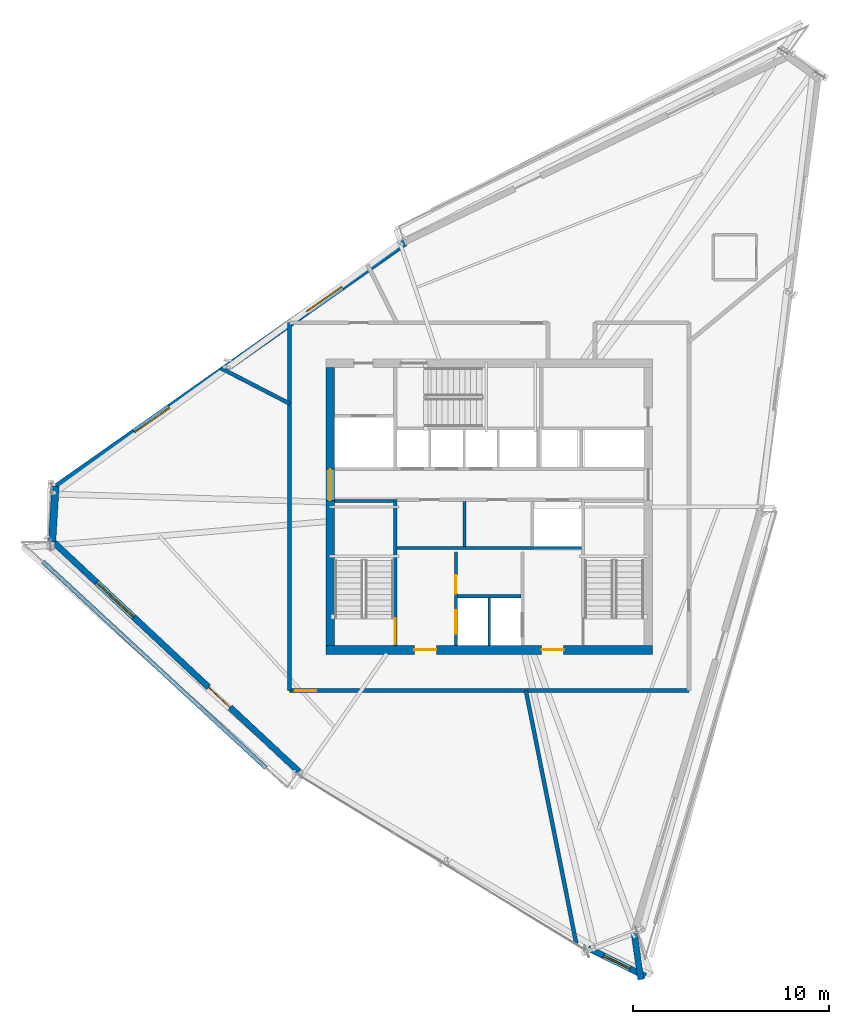
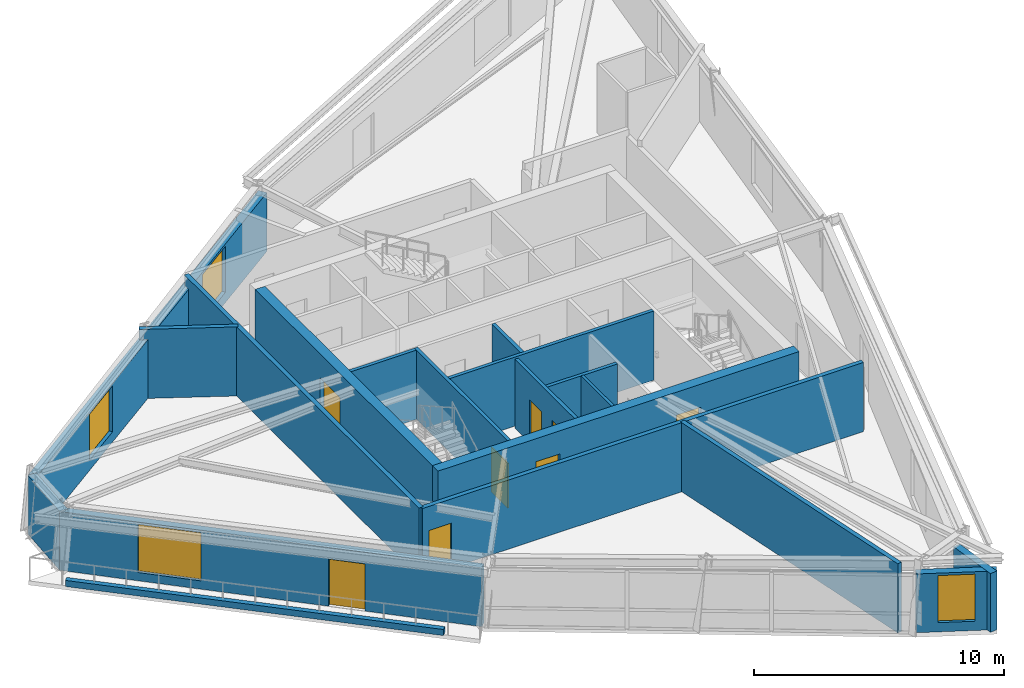
# One storey, part 9 of 14: 19 walls, 8 doors, 4 windows, 12 openings.
"""IFC4 building model written with IfcOpenShell, lengths in metres."""

from ifc_helpers import new_model, si_unit, direction, frame, frame_2d, origin, place, context, subcontext, project, spatial, rectangle, extrude, source, transform, mapped, material, layer, layer_set, type_object, type_shapes, element, fill, save


model = new_model("IFC4")

# Units and contexts
model_context = context("Model", 3, precision=1e-05, world=origin(), true_north=direction((0.0, 1.0)))
body_context = subcontext(model_context, "Body", "Model", "MODEL_VIEW")
ifc_project = project(units=[si_unit("LENGTHUNIT", "METRE"), si_unit("AREAUNIT", "SQUARE_METRE"), si_unit("VOLUMEUNIT", "CUBIC_METRE"), si_unit("PLANEANGLEUNIT", "RADIAN"), si_unit("MASSUNIT", "GRAM", prefix="KILO")], contexts=[model_context])

# Site, building, storey
site_placement = place(None, origin())
site = spatial("IfcSite", under=ifc_project, at=site_placement, CompositionType="ELEMENT")
building_placement = place(site_placement, origin())
building = spatial("IfcBuilding", under=site, at=building_placement, Name="Olszyna Solenne Hotel", CompositionType="ELEMENT")
storey_placement = place(building_placement, frame((0.0, 0.0, 256.10009765625)))
storey = spatial("IfcBuildingStorey", under=building, at=storey_placement, Name="L68", CompositionType="ELEMENT", Elevation=256.10009765625)

# Wall, openings, doors
ifc_material_1 = material(Name="Concrete C50/60", Category="concrete")
ifc_layer_1 = layer(ifc_material_1, 0.449951171875, Name="Concrete C50/60")
ifc_layer_set_1 = layer_set([ifc_layer_1], Name="Concrete C50/60")
wall_type_1 = type_object("IfcWallType", Name="WL-CR450", PredefinedType="SHEAR", material=ifc_layer_set_1)
wall_1_placement = place(storey_placement, frame((46.35009765625, 19.27490234375, 0.0), z_axis=(0.0, 0.0, 1.0), x_axis=(-1.0, 0.0, 0.0)))
wall_1 = element("IfcWall", 1, at=wall_1_placement, inside=storey, type_object=wall_type_1, Name="Core shear wall WL-CR450 CRW-L68-S", PredefinedType="SHEAR", context=body_context, shape_type="SweptSolid", body=[
    extrude(rectangle(XDim=16.7001953125, YDim=0.449951171875, at=frame_2d((8.35009765625, 0.0))), origin(), (0.0, 0.0, 1.0), 3.3798828125),
])
opening_1_placement = place(wall_1_placement, frame((4.550048828125, 0.0, 0.0)))
opening_1 = element("IfcOpeningElement", 2, at=opening_1_placement, cuts=wall_1, Name="Opening FL-L68-1", PredefinedType="OPENING", context=body_context, shape_type="SweptSolid", body=[
    extrude(rectangle(XDim=1.1201171875, YDim=2.25, at=frame_2d((0.56005859375, 1.125))), frame((0.0, 0.23486328125, 0.0), z_axis=(0.0, -1.0, 0.0), x_axis=(1.0, 0.0, 0.0)), (0.0, 0.0, 1.0), 0.469970703125),
])
opening_2_placement = place(wall_1_placement, frame((11.050048828125, 0.0, 0.0)))
opening_2 = element("IfcOpeningElement", 3, at=opening_2_placement, cuts=wall_1, Name="Opening FL-L68-2", PredefinedType="OPENING", context=body_context, shape_type="SweptSolid", body=[
    extrude(rectangle(XDim=1.1201171875, YDim=2.25, at=frame_2d((0.56005859375, 1.125))), frame((0.0, 0.23486328125, 0.0), z_axis=(0.0, -1.0, 0.0), x_axis=(1.0, 0.0, 0.0)), (0.0, 0.0, 1.0), 0.469970703125),
])
ifc_material_2 = material(Name="Steel S355J2", Category="steel")
door_type_1 = type_object("IfcDoorType", Name="DR-FL1", OperationType="NOTDEFINED", PredefinedType="DOOR", material=ifc_material_2)
shared_shape_1 = source(origin(), body_context, "Body", "SweptSolid", [
    extrude(rectangle(XDim=1.1201171875, YDim=2.25, at=frame_2d((0.56005859375, 1.125))), frame((0.0, 0.02490234375, 0.0), z_axis=(0.0, -1.0, 0.0), x_axis=(1.0, 0.0, 0.0)), (0.0, 0.0, 1.0), 0.050048828125),
])
type_shapes(door_type_1, [shared_shape_1])
door_1_placement = place(opening_1_placement, origin())
door_1 = element("IfcDoor", 4, at=door_1_placement, inside=storey, type_object=door_type_1, Name="Firefighting lift lobby smoke door FL-L68-1", OperationType="SINGLE_SWING_LEFT", OverallHeight=2.25, OverallWidth=1.1201171875, PredefinedType="DOOR", context=body_context, shape_type="MappedRepresentation", body=[
    mapped(shared_shape_1, transform((0.0, 0.0, 0.0), x_axis=(1.0, 0.0, 0.0), y_axis=(0.0, 1.0, 0.0), z_axis=(0.0, 0.0, 1.0), scale=1.0)),
])
fill(opening_1, door_1)
door_2_placement = place(opening_2_placement, origin())
door_2 = element("IfcDoor", 5, at=door_2_placement, inside=storey, type_object=door_type_1, Name="Firefighting lift lobby smoke door FL-L68-2", OperationType="SINGLE_SWING_RIGHT", OverallHeight=2.25, OverallWidth=1.1201171875, PredefinedType="DOOR", context=body_context, shape_type="MappedRepresentation", body=[
    mapped(shared_shape_1, transform((0.0, 0.0, 0.0), x_axis=(1.0, 0.0, 0.0), y_axis=(0.0, 1.0, 0.0), z_axis=(0.0, 0.0, 1.0), scale=1.0)),
])
fill(opening_2, door_2)

# Wall, opening, door
wall_2_placement = place(storey_placement, frame((29.875, 19.5, 0.0), z_axis=(0.0, 0.0, 1.0), x_axis=(0.0, 1.0, 0.0)))
wall_2 = element("IfcWall", 6, at=wall_2_placement, inside=storey, type_object=wall_type_1, Name="Core shear wall WL-CR450 CRW-L68-W", PredefinedType="SHEAR", context=body_context, shape_type="SweptSolid", body=[
    extrude(rectangle(XDim=14.199951171875, YDim=0.449951171875, at=frame_2d((7.10009765625, 0.0))), origin(), (0.0, 0.0, 1.0), 3.3798828125),
])
opening_3_placement = place(wall_2_placement, frame((7.419921875, 0.0, 0.0)))
opening_3 = element("IfcOpeningElement", 7, at=opening_3_placement, cuts=wall_2, Name="Opening LHD-L68-W", PredefinedType="OPENING", context=body_context, shape_type="SweptSolid", body=[
    extrude(rectangle(XDim=1.60009765625, YDim=2.199951171875, at=frame_2d((0.800048828125, 1.10009765625))), frame((0.0, 0.23486328125, 0.0), z_axis=(0.0, -1.0, 0.0), x_axis=(1.0, 0.0, 0.0)), (0.0, 0.0, 1.0), 0.469970703125),
])
ifc_material_3 = material(Name="Timber hardwood", Category="wood")
door_type_2 = type_object("IfcDoorType", Name="DR-CR1", OperationType="DOUBLE_DOOR_SINGLE_SWING", PredefinedType="DOOR", material=ifc_material_3)
shared_shape_2 = source(origin(), body_context, "Body", "SweptSolid", [
    extrude(rectangle(XDim=1.60009765625, YDim=2.199951171875, at=frame_2d((0.800048828125, 1.10009765625))), frame((0.0, 0.02490234375, 0.0), z_axis=(0.0, -1.0, 0.0), x_axis=(1.0, 0.0, 0.0)), (0.0, 0.0, 1.0), 0.050048828125),
])
type_shapes(door_type_2, [shared_shape_2])
door_3_placement = place(opening_3_placement, origin())
door_3 = element("IfcDoor", 8, at=door_3_placement, inside=storey, type_object=door_type_2, Name="Passenger lift lobby West fire door LHD-L68-W", OperationType="DOUBLE_DOOR_SINGLE_SWING", OverallHeight=2.199951171875, OverallWidth=1.60009765625, PredefinedType="DOOR", context=body_context, shape_type="MappedRepresentation", body=[
    mapped(shared_shape_2, transform((0.0, 0.0, 0.0), x_axis=(1.0, 0.0, 0.0), y_axis=(0.0, 1.0, 0.0), z_axis=(0.0, 0.0, 1.0), scale=1.0)),
])
fill(opening_3, door_3)

# Wall
ifc_material_4 = material(Name="Precast concrete C45/55", Category="concrete")
ifc_layer_2 = layer(ifc_material_4, 0.320068359375, Name="Precast concrete C45/55")
ifc_layer_set_2 = layer_set([ifc_layer_2], Name="Precast concrete C45/55")
wall_type_2 = type_object("IfcWallType", Name="WL-EX320", PredefinedType="SOLIDWALL", material=ifc_layer_set_2)
wall_3_placement = place(storey_placement, frame((45.40771484375, 4.8115234375, 0.0), z_axis=(0.0, 0.0, 1.0), x_axis=(0.143042586775, -0.989716534351, 0.0)))
element("IfcWall", 9, at=wall_3_placement, inside=storey, type_object=wall_type_2, Name="Exterior terracotta-precast frame wall WL-EX320 EW-L68-02", PredefinedType="SOLIDWALL", context=body_context, shape_type="SweptSolid", body=[
    extrude(rectangle(XDim=2.403076171875, YDim=0.320068359375, at=frame_2d((1.20166015625, 0.0))), origin(), (0.0, 0.0, 1.0), 2.871826171875),
])

# Wall, opening, window
wall_4_placement = place(storey_placement, frame((45.98046875, 2.599609375, 0.0), z_axis=(0.0, 0.0, 1.0), x_axis=(-0.897759640197, 0.440485673358, 0.0)))
wall_4 = element("IfcWall", 10, at=wall_4_placement, inside=storey, type_object=wall_type_2, Name="Exterior terracotta-precast frame wall WL-EX320 EW-L68-03", PredefinedType="SOLIDWALL", context=body_context, shape_type="SweptSolid", body=[
    extrude(rectangle(XDim=3.242919921875, YDim=0.320068359375, at=frame_2d((1.62158203125, 0.0))), origin(), (0.0, 0.0, 1.0), 2.871826171875),
])
opening_4_placement = place(wall_4_placement, frame((0.87109375, 0.0, 0.451904296875)))
opening_4 = element("IfcOpeningElement", 11, at=opening_4_placement, cuts=wall_4, Name="Opening WN-L68-449", PredefinedType="OPENING", context=body_context, shape_type="SweptSolid", body=[
    extrude(rectangle(XDim=1.5, YDim=2.300048828125, at=frame_2d((0.75, 1.14990234375))), frame((0.0, 0.169921875, 0.0), z_axis=(0.0, -1.0, 0.0), x_axis=(1.0, 0.0, 0.0)), (0.0, 0.0, 1.0), 0.340087890625),
])
ifc_material_5 = material(Name="Low-E triple glazing", Category="glass")
window_type_1 = type_object("IfcWindowType", Name="WN-CH1", PartitioningType="SINGLE_PANEL", PredefinedType="WINDOW", material=ifc_material_5)
shared_shape_3 = source(origin(), body_context, "Body", "SweptSolid", [
    extrude(rectangle(XDim=1.5, YDim=2.300048828125, at=frame_2d((0.75, 1.14990234375))), frame((0.0, 0.030029296875, 0.0), z_axis=(0.0, -1.0, 0.0), x_axis=(1.0, 0.0, 0.0)), (0.0, 0.0, 1.0), 0.06005859375),
])
type_shapes(window_type_1, [shared_shape_3])
window_1_placement = place(opening_4_placement, origin())
window_1 = element("IfcWindow", 12, at=window_1_placement, inside=storey, type_object=window_type_1, Name="Exterior facade window WN-CH1 WN-L68-449", OverallHeight=2.300048828125, OverallWidth=1.5, PartitioningType="SINGLE_PANEL", PredefinedType="WINDOW", context=body_context, shape_type="MappedRepresentation", body=[
    mapped(shared_shape_3, transform((0.0, 0.0, 0.0), x_axis=(1.0, 0.0, 0.0), y_axis=(0.0, 1.0, 0.0), z_axis=(0.0, 0.0, 1.0), scale=1.0)),
])
fill(opening_4, window_1)

# Wall, openings, door, window
wall_5_placement = place(storey_placement, frame((28.271240234375, 13.05322265625, 0.0), z_axis=(0.0, 0.0, 1.0), x_axis=(-0.730047343923, 0.683396572739, 0.0)))
wall_5 = element("IfcWall", 13, at=wall_5_placement, inside=storey, type_object=wall_type_2, Name="Exterior terracotta-precast frame wall WL-EX320 EW-L68-05", PredefinedType="SOLIDWALL", context=body_context, shape_type="SweptSolid", body=[
    extrude(rectangle(XDim=17.380126953125, YDim=0.320068359375, at=frame_2d((8.68994140625, 0.0))), origin(), (0.0, 0.0, 1.0), 2.871826171875),
])
opening_5_placement = place(wall_5_placement, frame((4.81201171875, 0.0, 0.0)))
opening_5 = element("IfcOpeningElement", 14, at=opening_5_placement, cuts=wall_5, Name="Opening LDG-L68-2", PredefinedType="OPENING", context=body_context, shape_type="SweptSolid", body=[
    extrude(rectangle(XDim=1.5, YDim=2.300048828125, at=frame_2d((0.75, 1.14990234375))), frame((0.0, 0.169921875, 0.0), z_axis=(0.0, -1.0, 0.0), x_axis=(1.0, 0.0, 0.0)), (0.0, 0.0, 1.0), 0.340087890625),
])
opening_6_placement = place(wall_5_placement, frame((11.56103515625, 0.0, 0.402099609375)))
opening_6 = element("IfcOpeningElement", 15, at=opening_6_placement, cuts=wall_5, Name="Opening WN-L68-450", PredefinedType="OPENING", context=body_context, shape_type="SweptSolid", body=[
    extrude(rectangle(XDim=2.60009765625, YDim=2.35009765625, at=frame_2d((1.300048828125, 1.175048828125))), frame((0.0, 0.169921875, 0.0), z_axis=(0.0, -1.0, 0.0), x_axis=(1.0, 0.0, 0.0)), (0.0, 0.0, 1.0), 0.340087890625),
])
ifc_material_6 = material(Name="Anodised bronze aluminium", Category="aluminium")
door_type_3 = type_object("IfcDoorType", Name="DR-LG2", OperationType="DOUBLE_DOOR_SINGLE_SWING", PredefinedType="DOOR", material=ifc_material_6)
shared_shape_4 = source(origin(), body_context, "Body", "SweptSolid", [
    extrude(rectangle(XDim=1.5, YDim=2.300048828125, at=frame_2d((0.75, 1.14990234375))), frame((0.0, 0.02490234375, 0.0), z_axis=(0.0, -1.0, 0.0), x_axis=(1.0, 0.0, 0.0)), (0.0, 0.0, 1.0), 0.050048828125),
])
type_shapes(door_type_3, [shared_shape_4])
door_4_placement = place(opening_5_placement, origin())
door_4 = element("IfcDoor", 16, at=door_4_placement, inside=storey, type_object=door_type_3, Name="Exterior loggia balcony door DR-LG2 LDG-L68-2", OperationType="DOUBLE_DOOR_SINGLE_SWING", OverallHeight=2.300048828125, OverallWidth=1.5, PredefinedType="DOOR", context=body_context, shape_type="MappedRepresentation", body=[
    mapped(shared_shape_4, transform((0.0, 0.0, 0.0), x_axis=(1.0, 0.0, 0.0), y_axis=(0.0, 1.0, 0.0), z_axis=(0.0, 0.0, 1.0), scale=1.0)),
])
fill(opening_5, door_4)
window_type_2 = type_object("IfcWindowType", Name="WN-ST1", PartitioningType="SINGLE_PANEL", PredefinedType="WINDOW", material=ifc_material_5)
shared_shape_5 = source(origin(), body_context, "Body", "SweptSolid", [
    extrude(rectangle(XDim=2.60009765625, YDim=2.35009765625, at=frame_2d((1.300048828125, 1.175048828125))), frame((0.0, 0.030029296875, 0.0), z_axis=(0.0, -1.0, 0.0), x_axis=(1.0, 0.0, 0.0)), (0.0, 0.0, 1.0), 0.06005859375),
])
type_shapes(window_type_2, [shared_shape_5])
window_2_placement = place(opening_6_placement, origin())
window_2 = element("IfcWindow", 17, at=window_2_placement, inside=storey, type_object=window_type_2, Name="Loggia room window WN-ST1 WN-L68-450", OverallHeight=2.35009765625, OverallWidth=2.60009765625, PartitioningType="SINGLE_PANEL", PredefinedType="WINDOW", context=body_context, shape_type="MappedRepresentation", body=[
    mapped(shared_shape_5, transform((0.0, 0.0, 0.0), x_axis=(1.0, 0.0, 0.0), y_axis=(0.0, 1.0, 0.0), z_axis=(0.0, 0.0, 1.0), scale=1.0)),
])
fill(opening_6, window_2)

# Wall
ifc_material_7 = material(Name="Terracotta cladding on precast concrete C45/55", Category="masonry")
ifc_layer_3 = layer(ifc_material_7, 0.3798828125, Name="Terracotta cladding on precast concrete C45/55")
ifc_layer_set_3 = layer_set([ifc_layer_3], Name="Terracotta cladding on precast concrete C45/55")
wall_type_3 = type_object("IfcWallType", Name="WL-EX380", PredefinedType="SOLIDWALL", material=ifc_layer_set_3)
wall_6_placement = place(storey_placement, frame((15.66357421875, 24.802490234375, 0.0), z_axis=(0.0, 0.0, 1.0), x_axis=(0.05918528466, 0.998247014561, 0.0)))
element("IfcWall", 18, at=wall_6_placement, inside=storey, type_object=wall_type_3, Name="Exterior terracotta-precast frame wall WL-EX380 EW-L68-06", PredefinedType="SOLIDWALL", context=body_context, shape_type="SweptSolid", body=[
    extrude(rectangle(XDim=2.842041015625, YDim=0.3798828125, at=frame_2d((1.4208984375, 0.0))), origin(), (0.0, 0.0, 1.0), 2.871826171875),
])

# Wall, openings, windows
wall_7_placement = place(storey_placement, frame((15.75146484375, 27.495361328125, 0.0), z_axis=(0.0, 0.0, 1.0), x_axis=(0.818194527571, 0.574941488373, 0.0)))
wall_7 = element("IfcWall", 19, at=wall_7_placement, inside=storey, type_object=wall_type_3, Name="Exterior terracotta-precast frame wall WL-EX380 EW-L68-07", PredefinedType="SOLIDWALL", context=body_context, shape_type="SweptSolid", body=[
    extrude(rectangle(XDim=21.9306640625, YDim=0.3798828125, at=frame_2d((10.96533203125, 0.0))), origin(), (0.0, 0.0, 1.0), 2.871826171875),
])
opening_7_placement = place(wall_7_placement, frame((5.041015625, 0.0, 0.501953125)))
opening_7 = element("IfcOpeningElement", 20, at=opening_7_placement, cuts=wall_7, Name="Opening WN-L68-451", PredefinedType="OPENING", context=body_context, shape_type="SweptSolid", body=[
    extrude(rectangle(XDim=2.199951171875, YDim=2.25, at=frame_2d((1.10009765625, 1.125))), frame((0.0, 0.199951171875, 0.0), z_axis=(0.0, -1.0, 0.0), x_axis=(1.0, 0.0, 0.0)), (0.0, 0.0, 1.0), 0.39990234375),
])
opening_8_placement = place(wall_7_placement, frame((15.7900390625, 0.0, 0.501953125)))
opening_8 = element("IfcOpeningElement", 21, at=opening_8_placement, cuts=wall_7, Name="Opening WN-L68-452", PredefinedType="OPENING", context=body_context, shape_type="SweptSolid", body=[
    extrude(rectangle(XDim=2.199951171875, YDim=2.25, at=frame_2d((1.10009765625, 1.125))), frame((0.0, 0.199951171875, 0.0), z_axis=(0.0, -1.0, 0.0), x_axis=(1.0, 0.0, 0.0)), (0.0, 0.0, 1.0), 0.39990234375),
])
window_type_3 = type_object("IfcWindowType", Name="WN-HT2", PartitioningType="SINGLE_PANEL", PredefinedType="WINDOW", material=ifc_material_5)
shared_shape_6 = source(origin(), body_context, "Body", "SweptSolid", [
    extrude(rectangle(XDim=2.199951171875, YDim=2.25, at=frame_2d((1.10009765625, 1.125))), frame((0.0, 0.030029296875, 0.0), z_axis=(0.0, -1.0, 0.0), x_axis=(1.0, 0.0, 0.0)), (0.0, 0.0, 1.0), 0.06005859375),
])
type_shapes(window_type_3, [shared_shape_6])
window_3_placement = place(opening_7_placement, origin())
window_3 = element("IfcWindow", 22, at=window_3_placement, inside=storey, type_object=window_type_3, Name="Exterior facade window WN-HT2 WN-L68-451", OverallHeight=2.25, OverallWidth=2.199951171875, PartitioningType="SINGLE_PANEL", PredefinedType="WINDOW", context=body_context, shape_type="MappedRepresentation", body=[
    mapped(shared_shape_6, transform((0.0, 0.0, 0.0), x_axis=(1.0, 0.0, 0.0), y_axis=(0.0, 1.0, 0.0), z_axis=(0.0, 0.0, 1.0), scale=1.0)),
])
fill(opening_7, window_3)
window_4_placement = place(opening_8_placement, origin())
window_4 = element("IfcWindow", 23, at=window_4_placement, inside=storey, type_object=window_type_3, Name="Exterior facade window WN-HT2 WN-L68-452", OverallHeight=2.25, OverallWidth=2.199951171875, PartitioningType="SINGLE_PANEL", PredefinedType="WINDOW", context=body_context, shape_type="MappedRepresentation", body=[
    mapped(shared_shape_6, transform((0.0, 0.0, 0.0), x_axis=(1.0, 0.0, 0.0), y_axis=(0.0, 1.0, 0.0), z_axis=(0.0, 0.0, 1.0), scale=1.0)),
])
fill(opening_8, window_4)

# Walls
ifc_layer_4 = layer(ifc_material_4, 0.219970703125, Name="Precast concrete C45/55")
ifc_layer_set_4 = layer_set([ifc_layer_4], Name="Precast concrete C45/55")
wall_type_4 = type_object("IfcWallType", Name="WL-PR220", PredefinedType="PARAPET", material=ifc_layer_set_4)
wall_8_placement = place(storey_placement, frame((15.1806640625, 23.796142578125, 0.0), z_axis=(0.0, 0.0, 1.0), x_axis=(0.734232444262, -0.678898164523, 0.0)))
element("IfcWall", 24, at=wall_8_placement, inside=storey, type_object=wall_type_4, Name="Loggia balcony precast kerb PR-L68-LG2", PredefinedType="PARAPET", context=body_context, shape_type="SweptSolid", body=[
    extrude(rectangle(XDim=15.530517578125, YDim=0.219970703125, at=frame_2d((7.76513671875, 0.0))), origin(), (0.0, 0.0, 1.0), 0.2998046875),
])
ifc_material_8 = material(Name="Acoustic gypsum partition", Category="gypsum")
ifc_layer_5 = layer(ifc_material_8, 0.125, Name="Acoustic gypsum partition")
ifc_layer_set_5 = layer_set([ifc_layer_5], Name="Acoustic gypsum partition")
wall_type_5 = type_object("IfcWallType", Name="WL-PT125", PredefinedType="PARTITIONING", material=ifc_layer_set_5)
wall_9_placement = place(storey_placement, frame((38.0, 19.5, 0.0), z_axis=(0.0, 0.0, 1.0), x_axis=(0.0, 1.0, 0.0)))
element("IfcWall", 25, at=wall_9_placement, inside=storey, type_object=wall_type_5, Name="Core shaft compartment wall CW-L68-FFM", PredefinedType="PARTITIONING", context=body_context, shape_type="SweptSolid", body=[
    extrude(rectangle(XDim=2.4599609375, YDim=0.125, at=frame_2d((1.22998046875, 0.0))), origin(), (0.0, 0.0, 1.0), 3.3798828125),
])

# Wall, opening, door
ifc_layer_6 = layer(ifc_material_8, 0.159912109375, Name="Acoustic gypsum partition")
ifc_layer_set_6 = layer_set([ifc_layer_6], Name="Acoustic gypsum partition")
wall_type_6 = type_object("IfcWallType", Name="WL-PT160", PredefinedType="PARTITIONING", material=ifc_layer_set_6)
wall_10_placement = place(storey_placement, frame((33.199951171875, 19.5, 0.0), z_axis=(0.0, 0.0, 1.0), x_axis=(0.0, 1.0, 0.0)))
wall_10 = element("IfcWall", 26, at=wall_10_placement, inside=storey, type_object=wall_type_6, Name="Core shaft compartment wall CW-L68-ST1E", PredefinedType="PARTITIONING", context=body_context, shape_type="SweptSolid", body=[
    extrude(rectangle(XDim=7.4599609375, YDim=0.159912109375, at=frame_2d((3.72998046875, 0.0))), origin(), (0.0, 0.0, 1.0), 3.3798828125),
])
opening_9_placement = place(wall_10_placement, frame((0.080078125, 0.0, 0.0)))
opening_9 = element("IfcOpeningElement", 27, at=opening_9_placement, cuts=wall_10, Name="Opening STD-L68-01", PredefinedType="OPENING", context=body_context, shape_type="SweptSolid", body=[
    extrude(rectangle(XDim=1.320068359375, YDim=2.199951171875, at=frame_2d((0.66015625, 1.10009765625))), frame((0.0, 0.08984375, 0.0), z_axis=(0.0, -1.0, 0.0), x_axis=(1.0, 0.0, 0.0)), (0.0, 0.0, 1.0), 0.179931640625),
])
door_type_4 = type_object("IfcDoorType", Name="DR-ST1", OperationType="NOTDEFINED", PredefinedType="DOOR", material=ifc_material_2)
shared_shape_7 = source(origin(), body_context, "Body", "SweptSolid", [
    extrude(rectangle(XDim=1.320068359375, YDim=2.199951171875, at=frame_2d((0.66015625, 1.10009765625))), frame((0.0, 0.02490234375, 0.0), z_axis=(0.0, -1.0, 0.0), x_axis=(1.0, 0.0, 0.0)), (0.0, 0.0, 1.0), 0.050048828125),
])
type_shapes(door_type_4, [shared_shape_7])
door_5_placement = place(opening_9_placement, origin())
door_5 = element("IfcDoor", 28, at=door_5_placement, inside=storey, type_object=door_type_4, Name="Pressurised exit stair ST1 fire door STD-L68-01", OperationType="SINGLE_SWING_LEFT", OverallHeight=2.199951171875, OverallWidth=1.320068359375, PredefinedType="DOOR", context=body_context, shape_type="MappedRepresentation", body=[
    mapped(shared_shape_7, transform((0.0, 0.0, 0.0), x_axis=(1.0, 0.0, 0.0), y_axis=(0.0, 1.0, 0.0), z_axis=(0.0, 0.0, 1.0), scale=1.0)),
])
fill(opening_9, door_5)

# Wall
wall_11_placement = place(storey_placement, frame((30.10009765625, 26.8798828125, 0.0), z_axis=(0.0, 0.0, 1.0), x_axis=(1.0, 0.0, 0.0)))
element("IfcWall", 29, at=wall_11_placement, inside=storey, type_object=wall_type_6, Name="Core shaft compartment wall CW-L68-ST1N", PredefinedType="PARTITIONING", context=body_context, shape_type="SweptSolid", body=[
    extrude(rectangle(XDim=3.02001953125, YDim=0.159912109375, at=frame_2d((1.510009765625, 0.0))), origin(), (0.0, 0.0, 1.0), 3.3798828125),
])

# Wall, openings, doors
wall_12_placement = place(storey_placement, frame((36.300048828125, 19.5, 0.0), z_axis=(0.0, 0.0, 1.0), x_axis=(0.0, 1.0, 0.0)))
wall_12 = element("IfcWall", 30, at=wall_12_placement, inside=storey, type_object=wall_type_6, Name="Core shaft compartment wall CW-L68-FF1W", PredefinedType="PARTITIONING", context=body_context, shape_type="SweptSolid", body=[
    extrude(rectangle(XDim=4.780029296875, YDim=0.159912109375, at=frame_2d((2.39013671875, 0.0))), origin(), (0.0, 0.0, 1.0), 3.3798828125),
])
opening_10_placement = place(wall_12_placement, frame((0.60009765625, 0.0, 0.0)))
opening_10 = element("IfcOpeningElement", 31, at=opening_10_placement, cuts=wall_12, Name="Opening LD-L68-FF1", PredefinedType="OPENING", context=body_context, shape_type="SweptSolid", body=[
    extrude(rectangle(XDim=1.199951171875, YDim=2.199951171875, at=frame_2d((0.60009765625, 1.10009765625))), frame((0.0, 0.08984375, 0.0), z_axis=(0.0, -1.0, 0.0), x_axis=(1.0, 0.0, 0.0)), (0.0, 0.0, 1.0), 0.179931640625),
])
opening_11_placement = place(wall_12_placement, frame((2.64990234375, 0.0, 0.0)))
opening_11 = element("IfcOpeningElement", 32, at=opening_11_placement, cuts=wall_12, Name="Opening SVD-L68-SMK", PredefinedType="OPENING", context=body_context, shape_type="SweptSolid", body=[
    extrude(rectangle(XDim=0.949951171875, YDim=2.10009765625, at=frame_2d((0.47509765625, 1.050048828125))), frame((0.0, 0.08984375, 0.0), z_axis=(0.0, -1.0, 0.0), x_axis=(1.0, 0.0, 0.0)), (0.0, 0.0, 1.0), 0.179931640625),
])
door_type_5 = type_object("IfcDoorType", Name="DR-SV1", OperationType="NOTDEFINED", PredefinedType="DOOR", material=ifc_material_2)
shared_shape_8 = source(origin(), body_context, "Body", "SweptSolid", [
    extrude(rectangle(XDim=0.949951171875, YDim=2.10009765625, at=frame_2d((0.47509765625, 1.050048828125))), frame((0.0, 0.02490234375, 0.0), z_axis=(0.0, -1.0, 0.0), x_axis=(1.0, 0.0, 0.0)), (0.0, 0.0, 1.0), 0.050048828125),
])
type_shapes(door_type_5, [shared_shape_8])
door_6_placement = place(opening_11_placement, origin())
door_6 = element("IfcDoor", 33, at=door_6_placement, inside=storey, type_object=door_type_5, Name="Valet and core service room door SVD-L68-SMK", OperationType="SINGLE_SWING_LEFT", OverallHeight=2.10009765625, OverallWidth=0.949951171875, PredefinedType="DOOR", context=body_context, shape_type="MappedRepresentation", body=[
    mapped(shared_shape_8, transform((0.0, 0.0, 0.0), x_axis=(1.0, 0.0, 0.0), y_axis=(0.0, 1.0, 0.0), z_axis=(0.0, 0.0, 1.0), scale=1.0)),
])
fill(opening_11, door_6)
door_type_6 = type_object("IfcDoorType", Name="LD-FF1", OperationType="DOUBLE_DOOR_SLIDING", PredefinedType="DOOR", material=ifc_material_2)
shared_shape_9 = source(origin(), body_context, "Body", "SweptSolid", [
    extrude(rectangle(XDim=1.199951171875, YDim=2.199951171875, at=frame_2d((0.60009765625, 1.10009765625))), frame((0.0, 0.02490234375, 0.0), z_axis=(0.0, -1.0, 0.0), x_axis=(1.0, 0.0, 0.0)), (0.0, 0.0, 1.0), 0.050048828125),
])
type_shapes(door_type_6, [shared_shape_9])
door_7_placement = place(opening_10_placement, origin())
door_7 = element("IfcDoor", 34, at=door_7_placement, inside=storey, type_object=door_type_6, Name="Firefighters lift FF1 sliding landing door LD-L68-FF1", OperationType="DOUBLE_DOOR_SLIDING", OverallHeight=2.199951171875, OverallWidth=1.199951171875, PredefinedType="DOOR", context=body_context, shape_type="MappedRepresentation", body=[
    mapped(shared_shape_9, transform((0.0, 0.0, 0.0), x_axis=(1.0, 0.0, 0.0), y_axis=(0.0, 1.0, 0.0), z_axis=(0.0, 0.0, 1.0), scale=1.0)),
])
fill(opening_10, door_7)

# Walls
wall_13_placement = place(storey_placement, frame((36.3798828125, 22.02001953125, 0.0), z_axis=(0.0, 0.0, 1.0), x_axis=(1.0, 0.0, 0.0)))
element("IfcWall", 35, at=wall_13_placement, inside=storey, type_object=wall_type_6, Name="Core shaft compartment wall CW-L68-FFN", PredefinedType="PARTITIONING", context=body_context, shape_type="SweptSolid", body=[
    extrude(rectangle(XDim=3.240234375, YDim=0.159912109375, at=frame_2d((1.6201171875, 0.0))), origin(), (0.0, 0.0, 1.0), 3.3798828125),
])
wall_14_placement = place(storey_placement, frame((33.280029296875, 24.489990234375, 0.0), z_axis=(0.0, 0.0, 1.0), x_axis=(1.0, 0.0, 0.0)))
element("IfcWall", 36, at=wall_14_placement, inside=storey, type_object=wall_type_6, Name="Core shaft compartment wall CW-L68-FFBN", PredefinedType="PARTITIONING", context=body_context, shape_type="SweptSolid", body=[
    extrude(rectangle(XDim=9.43994140625, YDim=0.159912109375, at=frame_2d((4.719970703125, 0.0))), origin(), (0.0, 0.0, 1.0), 3.3798828125),
])
wall_15_placement = place(storey_placement, frame((36.72998046875, 24.56005859375, 0.0), z_axis=(0.0, 0.0, 1.0), x_axis=(0.0, 1.0, 0.0)))
element("IfcWall", 37, at=wall_15_placement, inside=storey, type_object=wall_type_6, Name="Core shaft compartment wall CW-L68-LV7DIV1", PredefinedType="PARTITIONING", context=body_context, shape_type="SweptSolid", body=[
    extrude(rectangle(XDim=2.31005859375, YDim=0.159912109375, at=frame_2d((1.155029296875, 0.0))), origin(), (0.0, 0.0, 1.0), 3.3798828125),
])
ifc_layer_7 = layer(ifc_material_8, 0.199951171875, Name="Acoustic gypsum partition")
ifc_layer_set_7 = layer_set([ifc_layer_7], Name="Acoustic gypsum partition")
wall_type_7 = type_object("IfcWallType", Name="WL-PT200", PredefinedType="PARTITIONING", material=ifc_layer_set_7)
wall_16_placement = place(storey_placement, frame((27.800048828125, 31.864501953125, 0.0), z_axis=(0.0, 0.0, 1.0), x_axis=(-0.888587452477, 0.458707247927, 0.0)))
element("IfcWall", 38, at=wall_16_placement, inside=storey, type_object=wall_type_7, Name="Interior acoustic partition WL-PT200 PW-L68-3789", PredefinedType="PARTITIONING", context=body_context, shape_type="SweptSolid", body=[
    extrude(rectangle(XDim=3.963623046875, YDim=0.199951171875, at=frame_2d((1.98193359375, 0.0))), origin(), (0.0, 0.0, 1.0), 3.3798828125),
])
wall_17_placement = place(storey_placement, frame((39.873291015625, 17.199951171875, 0.0), z_axis=(0.0, 0.0, 1.0), x_axis=(0.195475995278, -0.980708486386, 0.0)))
element("IfcWall", 39, at=wall_17_placement, inside=storey, type_object=wall_type_7, Name="Interior acoustic partition WL-PT200 PW-L68-3790", PredefinedType="PARTITIONING", context=body_context, shape_type="SweptSolid", body=[
    extrude(rectangle(XDim=13.20263671875, YDim=0.199951171875, at=frame_2d((6.601318359375, 0.0))), origin(), (0.0, 0.0, 1.0), 3.3798828125),
])

# Wall, opening, door
wall_18_placement = place(storey_placement, frame((27.800048828125, 17.199951171875, 0.0), z_axis=(0.0, 0.0, 1.0), x_axis=(1.0, 0.0, 0.0)))
wall_18 = element("IfcWall", 40, at=wall_18_placement, inside=storey, type_object=wall_type_7, Name="Interior acoustic partition WL-PT200 PW-L68-3797", PredefinedType="PARTITIONING", context=body_context, shape_type="SweptSolid", body=[
    extrude(rectangle(XDim=20.39990234375, YDim=0.199951171875, at=frame_2d((10.199951171875, 0.0))), origin(), (0.0, 0.0, 1.0), 3.3798828125),
])
opening_12_placement = place(wall_18_placement, frame((0.300048828125, 0.0, 0.0)))
opening_12 = element("IfcOpeningElement", 41, at=opening_12_placement, cuts=wall_18, Name="Opening DR-L68-0927", PredefinedType="OPENING", context=body_context, shape_type="SweptSolid", body=[
    extrude(rectangle(XDim=1.050048828125, YDim=2.199951171875, at=frame_2d((0.52490234375, 1.10009765625))), frame((0.0, 0.10986328125, 0.0), z_axis=(0.0, -1.0, 0.0), x_axis=(1.0, 0.0, 0.0)), (0.0, 0.0, 1.0), 0.219970703125),
])
door_type_7 = type_object("IfcDoorType", Name="DR-RM2", OperationType="NOTDEFINED", PredefinedType="DOOR", material=ifc_material_3)
shared_shape_10 = source(origin(), body_context, "Body", "SweptSolid", [
    extrude(rectangle(XDim=1.050048828125, YDim=2.199951171875, at=frame_2d((0.52490234375, 1.10009765625))), frame((0.0, 0.02490234375, 0.0), z_axis=(0.0, -1.0, 0.0), x_axis=(1.0, 0.0, 0.0)), (0.0, 0.0, 1.0), 0.050048828125),
])
type_shapes(door_type_7, [shared_shape_10])
door_8_placement = place(opening_12_placement, origin())
door_8 = element("IfcDoor", 42, at=door_8_placement, inside=storey, type_object=door_type_7, Name="Conference Boardroom Entrance Door DR-L68-0927", OperationType="SINGLE_SWING_LEFT", OverallHeight=2.199951171875, OverallWidth=1.050048828125, PredefinedType="DOOR", context=body_context, shape_type="MappedRepresentation", body=[
    mapped(shared_shape_10, transform((0.0, 0.0, 0.0), x_axis=(1.0, 0.0, 0.0), y_axis=(0.0, 1.0, 0.0), z_axis=(0.0, 0.0, 1.0), scale=1.0)),
])
fill(opening_12, door_8)

# Wall
wall_19_placement = place(storey_placement, frame((27.800048828125, 17.199951171875, 0.0), z_axis=(0.0, 0.0, 1.0), x_axis=(0.0, 1.0, 0.0)))
element("IfcWall", 43, at=wall_19_placement, inside=storey, type_object=wall_type_7, Name="Interior acoustic partition WL-PT200 PW-L68-3798", PredefinedType="PARTITIONING", context=body_context, shape_type="SweptSolid", body=[
    extrude(rectangle(XDim=18.800048828125, YDim=0.199951171875, at=frame_2d((9.39990234375, 0.0))), origin(), (0.0, 0.0, 1.0), 3.3798828125),
])

save(model, "model.ifc")
